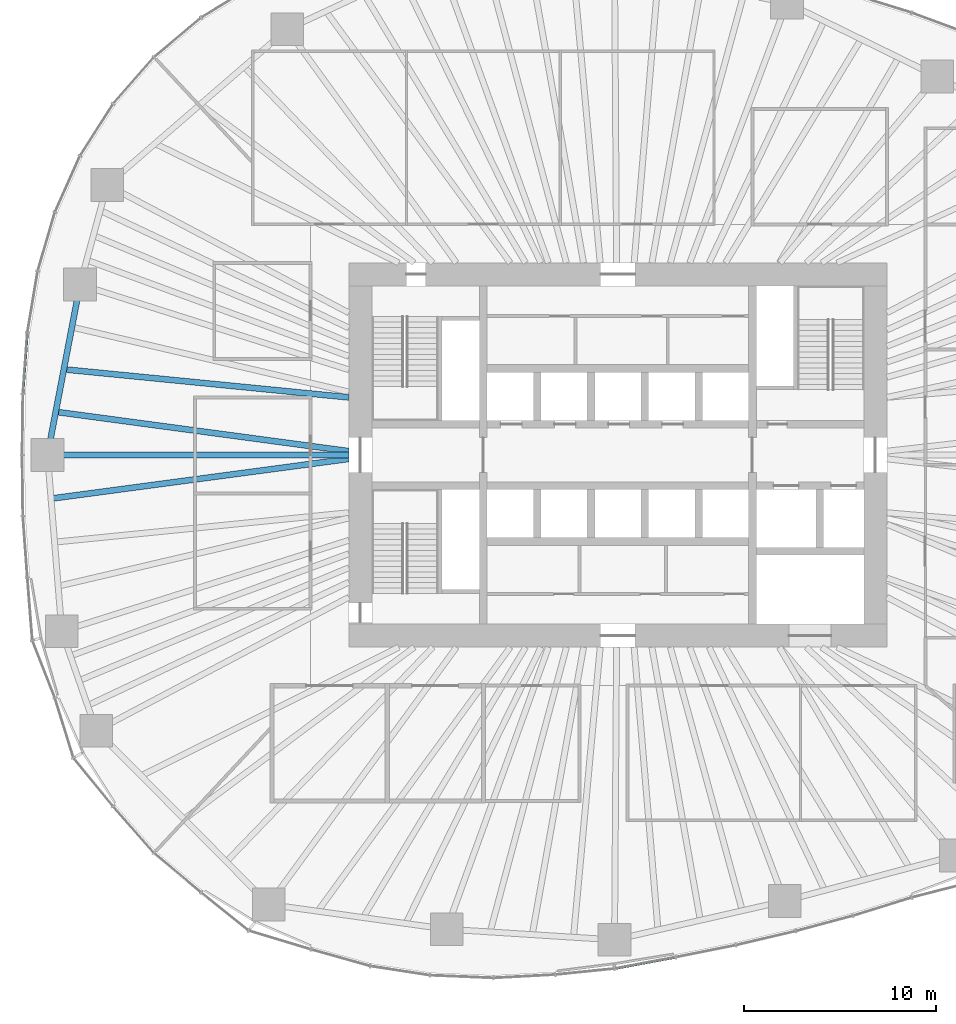
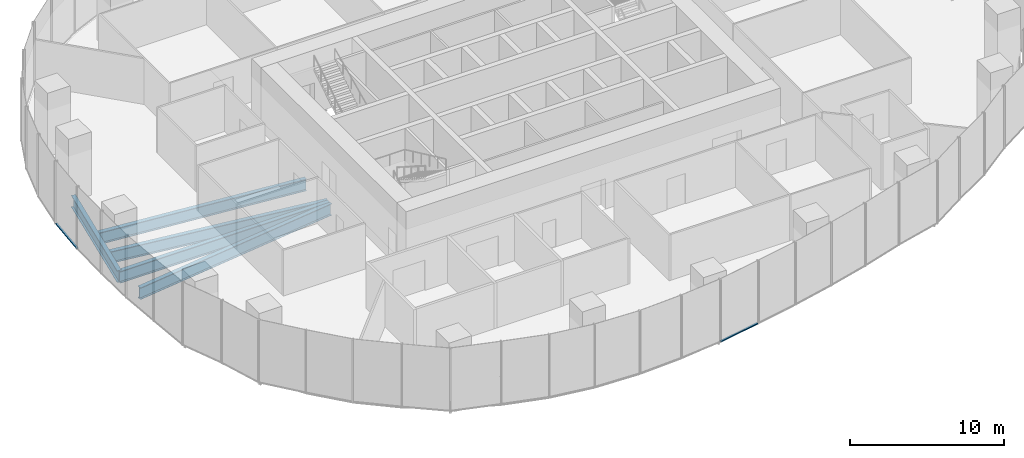
# One storey, part 3 of 20: 5 beams, 2 members, 2 elements without a shape of their own.
"""IFC4 building model written with IfcOpenShell, lengths in metres."""

from ifc_helpers import new_model, si_unit, direction, frame, origin, origin_2d, place, context, subcontext, project, spatial, rectangle, i_section, extrude, material, material_profile, profile_set, type_object, element, aggregate, save


model = new_model("IFC4")

# Units and contexts
model_context = context("Model", 3, precision=1e-05, world=origin(), true_north=direction((0.0, 1.0)))
body_context = subcontext(model_context, "Body", "Model", "MODEL_VIEW")
ifc_project = project(units=[si_unit("LENGTHUNIT", "METRE"), si_unit("AREAUNIT", "SQUARE_METRE"), si_unit("VOLUMEUNIT", "CUBIC_METRE"), si_unit("PLANEANGLEUNIT", "RADIAN"), si_unit("MASSUNIT", "GRAM", prefix="KILO")], contexts=[model_context])

# Site, building, storey
site_placement = place(None, origin())
site = spatial("IfcSite", under=ifc_project, at=site_placement, CompositionType="ELEMENT")
building_placement = place(site_placement, origin())
building = spatial("IfcBuilding", under=site, at=building_placement, Name="Ghaith Harvest Tower", CompositionType="ELEMENT")
storey_placement = place(building_placement, frame((0.0, 0.0, 60.0)))
storey = spatial("IfcBuildingStorey", under=building, at=storey_placement, Name="L12", CompositionType="ELEMENT", Elevation=60.0)

# Curtain wall, member
ifc_material_1 = material(Name="Black anodised aluminium and fritted glass", Category="aluminium")
curtain_wall_type = type_object("IfcCurtainWallType", Name="CW-F CURTAIN WALL", PredefinedType="NOTDEFINED", material=ifc_material_1)
curtain_wall_1_placement = place(storey_placement, origin())
curtain_wall_1 = element("IfcCurtainWall", 1, at=curtain_wall_1_placement, inside=storey, type_object=curtain_wall_type, Name="Curtain wall CW-F bay 10 L12", PredefinedType="NOTDEFINED")
ifc_material_2 = material(Name="Aluminium, black anodised", Category="aluminium")
ifc_material_profile_1 = material_profile(ifc_material_2, rectangle(XDim=0.139892578125, YDim=0.080078125, at=origin_2d()), Name="CW-F TRANSOM 140x80")
ifc_profile_set_1 = profile_set([ifc_material_profile_1], Name="Aluminium, black anodised")
member_type = type_object("IfcMemberType", Name="CW-F TRANSOM 140x80", PredefinedType="USERDEFINED", material=ifc_profile_set_1)
member_1_placement = place(storey_placement, frame((-30.72705078125, 6.335693359375, 0.0400390625), z_axis=(-0.072473547161, -0.997370334912, 0.0), x_axis=(0.997370334912, -0.072473547161, 0.0)))
member_1 = element("IfcMember", 2, at=member_1_placement, type_object=member_type, Name="CW-F transom 2 bay 10 L12", ObjectType="TRANSOM", PredefinedType="USERDEFINED", context=body_context, shape_type="SweptSolid", body=[
    extrude(rectangle(XDim=0.139892578125, YDim=0.080078125, at=origin_2d()), origin(), (0.0, 0.0, 1.0), 3.126220703125),
])
aggregate(curtain_wall_1, [member_1])

curtain_wall_2_placement = place(storey_placement, origin())
curtain_wall_2 = element("IfcCurtainWall", 3, at=curtain_wall_2_placement, inside=storey, type_object=curtain_wall_type, Name="Curtain wall CW-F bay 16 L12", PredefinedType="NOTDEFINED")
member_2_placement = place(storey_placement, frame((-0.1435546875, -26.709716796875, 0.0400390625), z_axis=(0.983139075124, 0.182859396706, 0.0), x_axis=(-0.182859396706, 0.983139075124, 0.0)))
member_2 = element("IfcMember", 4, at=member_2_placement, type_object=member_type, Name="CW-F transom 1 bay 16 L12", ObjectType="TRANSOM", PredefinedType="USERDEFINED", context=body_context, shape_type="SweptSolid", body=[
    extrude(rectangle(XDim=0.139892578125, YDim=0.080078125, at=origin_2d()), origin(), (0.0, 0.0, 1.0), 3.1669921875),
])
aggregate(curtain_wall_2, [member_2])

# Beams
ifc_material_3 = material(Name="Steel ASTM A992 Grade 50", Category="steel")
ifc_material_profile_2 = material_profile(ifc_material_3, i_section(OverallWidth=0.306884765625, OverallDepth=0.94189453125, WebThickness=0.022216796875, FlangeThickness=0.039794921875, at=origin_2d()), Name="W920X345")
ifc_profile_set_2 = profile_set([ifc_material_profile_2], Name="Steel ASTM A992 Grade 50")
beam_type_1 = type_object("IfcBeamType", Name="E920-345 W920X345", PredefinedType="SPANDREL", material=ifc_profile_set_2)
beam_1_placement = place(storey_placement, frame((-27.98291015625, 8.867919921875, -0.6708984375), z_axis=(-0.187433949108, -0.982277208695, 0.0), x_axis=(0.982277208695, -0.187433949108, 0.0)))
element("IfcBeam", 5, at=beam_1_placement, inside=storey, type_object=beam_type_1, Name="Edge beam E10 L12", PredefinedType="SPANDREL", context=body_context, shape_type="SweptSolid", body=[
    extrude(i_section(OverallWidth=0.306884765625, OverallDepth=0.94189453125, WebThickness=0.022216796875, FlangeThickness=0.039794921875, at=origin_2d()), origin(), (0.0, 0.0, 1.0), 9.02783203125),
])
ifc_material_4 = material(Name="Steel ASTM A992 Grade 50", Category="steel")
ifc_material_profile_3 = material_profile(ifc_material_4, i_section(OverallWidth=0.306884765625, OverallDepth=0.94189453125, WebThickness=0.022216796875, FlangeThickness=0.039794921875, at=origin_2d()), Name="W920X345")
ifc_profile_set_3 = profile_set([ifc_material_profile_3], Name="Steel ASTM A992 Grade 50")
beam_type_2 = type_object("IfcBeamType", Name="G920-345 W920X345", PredefinedType="BEAM", material=ifc_profile_set_3)
beam_2_placement = place(storey_placement, frame((-14.0, 0.0, -0.6708984375), z_axis=(-1.0, 0.0, 0.0), x_axis=(0.0, -1.0, 0.0)))
element("IfcBeam", 6, at=beam_2_placement, inside=storey, type_object=beam_type_2, Name="Radial girder G11 L12", PredefinedType="BEAM", context=body_context, shape_type="SweptSolid", body=[
    extrude(i_section(OverallWidth=0.306884765625, OverallDepth=0.94189453125, WebThickness=0.022216796875, FlangeThickness=0.039794921875, at=origin_2d()), origin(), (0.0, 0.0, 1.0), 15.675048828125),
])
ifc_material_5 = material(Name="Steel ASTM A992 Grade 50", Category="steel")
ifc_material_profile_4 = material_profile(ifc_material_5, i_section(OverallWidth=0.31005859375, OverallDepth=0.927001953125, WebThickness=0.019287109375, FlangeThickness=0.031982421875, at=origin_2d()), Name="W920X289")
ifc_profile_set_4 = profile_set([ifc_material_profile_4], Name="Steel ASTM A992 Grade 50")
beam_type_3 = type_object("IfcBeamType", Name="J920-289 W920X289", PredefinedType="JOIST", material=ifc_profile_set_4)
beam_3_placement = place(storey_placement, frame((-14.0, 3.0, -0.66357421875), z_axis=(-0.995196704135, 0.097895454848, 0.0), x_axis=(-0.097895454848, -0.995196704135, 0.0)))
element("IfcBeam", 7, at=beam_3_placement, inside=storey, type_object=beam_type_3, Name="Joist J10.2 L12", PredefinedType="JOIST", context=body_context, shape_type="SweptSolid", body=[
    extrude(i_section(OverallWidth=0.31005859375, OverallDepth=0.927001953125, WebThickness=0.019287109375, FlangeThickness=0.031982421875, at=origin_2d()), origin(), (0.0, 0.0, 1.0), 14.89599609375),
])
beam_4_placement = place(storey_placement, frame((-14.0, 0.199951171875, -0.66357421875), z_axis=(-0.991095171591, 0.133155401128, 0.0), x_axis=(-0.133155401128, -0.991095171591, 0.0)))
element("IfcBeam", 8, at=beam_4_placement, inside=storey, type_object=beam_type_3, Name="Joist J10.3 L12", PredefinedType="JOIST", context=body_context, shape_type="SweptSolid", body=[
    extrude(i_section(OverallWidth=0.31005859375, OverallDepth=0.927001953125, WebThickness=0.019287109375, FlangeThickness=0.031982421875, at=origin_2d()), origin(), (0.0, 0.0, 1.0), 15.383056640625),
])
beam_5_placement = place(storey_placement, frame((-14.0, -0.199951171875, -0.66357421875), z_axis=(-0.991213569042, -0.132271162948, 0.0), x_axis=(0.132271162948, -0.991213569042, 0.0)))
element("IfcBeam", 9, at=beam_5_placement, inside=storey, type_object=beam_type_3, Name="Joist J11.1 L12", PredefinedType="JOIST", context=body_context, shape_type="SweptSolid", body=[
    extrude(i_section(OverallWidth=0.31005859375, OverallDepth=0.927001953125, WebThickness=0.019287109375, FlangeThickness=0.031982421875, at=origin_2d()), origin(), (0.0, 0.0, 1.0), 15.6279296875),
])

save(model, "model.ifc")
